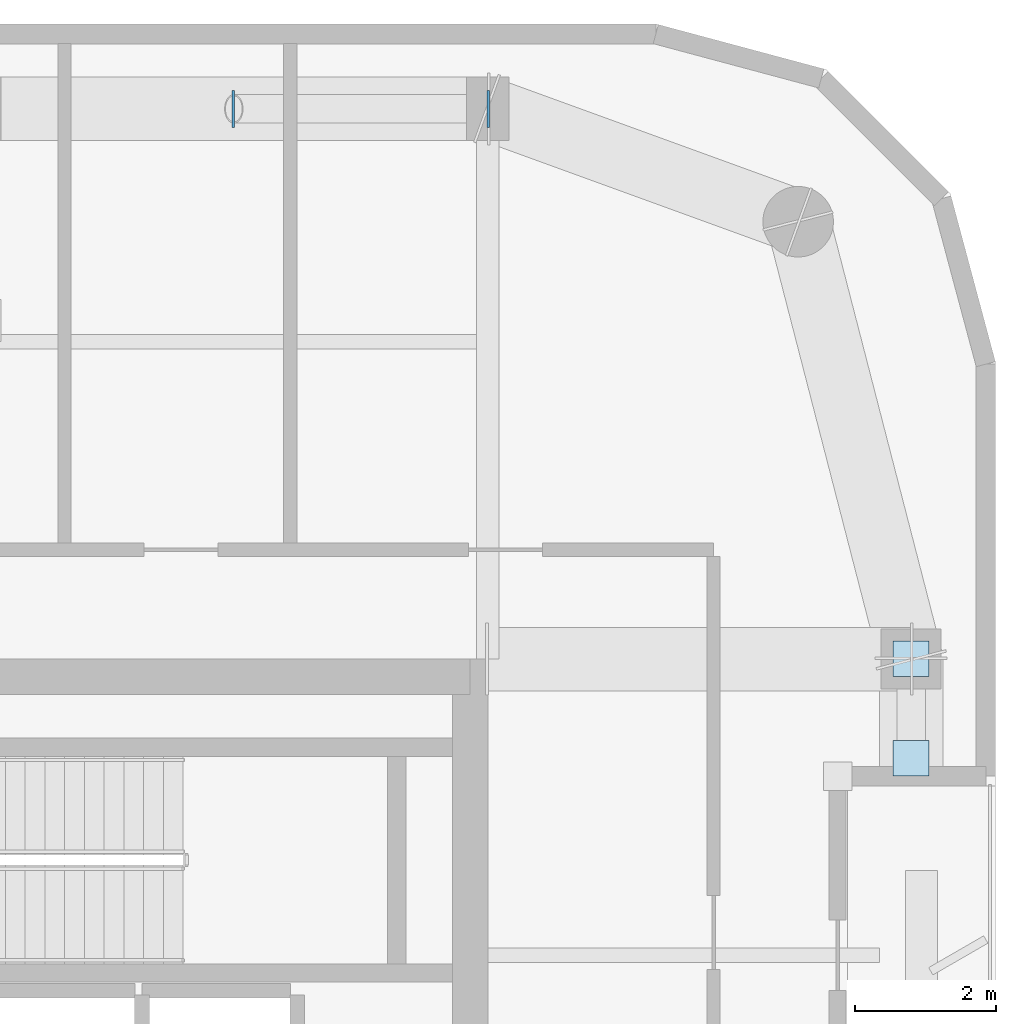
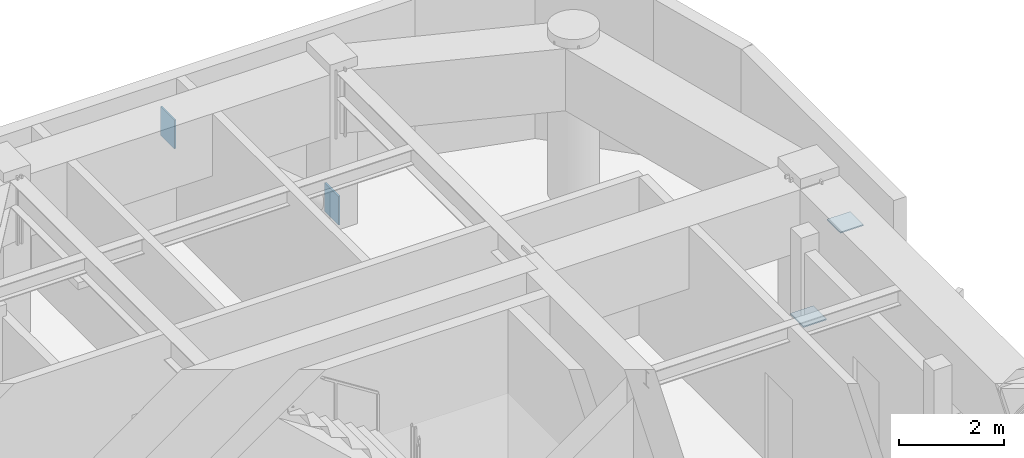
# One storey, part 9 of 16: 4 plates.
"""IFC4 building model written with IfcOpenShell, lengths in metres."""

from ifc_helpers import new_model, si_unit, direction, frame, origin, origin_2d, place, context, subcontext, project, spatial, rectangle, extrude, material, layer, layer_set, type_object, element, save


model = new_model("IFC4")

# Units and contexts
model_context = context("Model", 3, precision=1e-05, world=origin(), true_north=direction((0.0, 1.0)))
body_context = subcontext(model_context, "Body", "Model", "MODEL_VIEW")
ifc_project = project(units=[si_unit("LENGTHUNIT", "METRE"), si_unit("AREAUNIT", "SQUARE_METRE"), si_unit("VOLUMEUNIT", "CUBIC_METRE"), si_unit("PLANEANGLEUNIT", "RADIAN"), si_unit("MASSUNIT", "GRAM", prefix="KILO")], contexts=[model_context])

# Site, building, storey
site_placement = place(None, origin())
site = spatial("IfcSite", under=ifc_project, at=site_placement, CompositionType="ELEMENT")
building_placement = place(site_placement, origin())
building = spatial("IfcBuilding", under=site, at=building_placement, Name="Kiyonajd Concourse Tower", CompositionType="ELEMENT")
storey_placement = place(building_placement, frame((0.0, 0.0, 346.5)))
storey = spatial("IfcBuildingStorey", under=building, at=storey_placement, Name="L87", CompositionType="ELEMENT", Elevation=346.5)

# Plates
ifc_material = material(Name="Steel ASTM A572 Grade 50", Category="steel")
ifc_layer = layer(ifc_material, 0.028076171875)
ifc_layer_set = layer_set([ifc_layer], Name="Steel ASTM A572 Grade 50")
plate_type = type_object("IfcPlateType", Name="PL-CAP-450", PredefinedType="USERDEFINED", material=ifc_layer_set)
for number, where, z_axis, x_axis, name in (
    (1, (63.6083984375, 52.199951171875, -0.04248046875), (0.0, 0.0, 1.0), (1.0, 0.0, 0.0), "L87 Hollow Brace End Cap Plate PBN"),
    (2, (59.99169921875, 52.199951171875, 3.001708984375), (0.0, 0.0, 1.0), (-1.0, 0.0, 0.0), "L87 Hollow Brace Top Cap Plate PBN"),
):
    element("IfcPlate", number, at=place(storey_placement, frame(where, z_axis=z_axis, x_axis=x_axis)), inside=storey, type_object=plate_type, Name=name, ObjectType="CAP PLATE", PredefinedType="USERDEFINED", context=body_context, shape_type="SweptSolid", body=[
        extrude(rectangle(XDim=0.035888671875, YDim=0.52587890625, at=origin_2d()), origin(), (0.0, 0.0, 1.0), 0.6708984375),
    ])
for number, where, z_axis, x_axis, name in (
    (3, (69.60009765625, 44.404541015625, 0.27587890625), (0.0, 0.0, 1.0), (1.0, 0.0, 0.0), "L87 Hollow Brace End Cap Plate PBE"),
    (4, (69.60009765625, 42.995361328125, 3.326171875), (0.0, 0.0, 1.0), (1.0, 0.0, 0.0), "L87 Hollow Brace Top Cap Plate PBE"),
):
    element("IfcPlate", number, at=place(storey_placement, frame(where, z_axis=z_axis, x_axis=x_axis)), inside=storey, type_object=plate_type, Name=name, ObjectType="CAP PLATE", PredefinedType="USERDEFINED", context=body_context, shape_type="SweptSolid", body=[
        extrude(rectangle(XDim=0.506103515625, YDim=0.506103515625, at=origin_2d()), origin(), (0.0, 0.0, 1.0), 0.028076171875),
    ])

save(model, "model.ifc")
